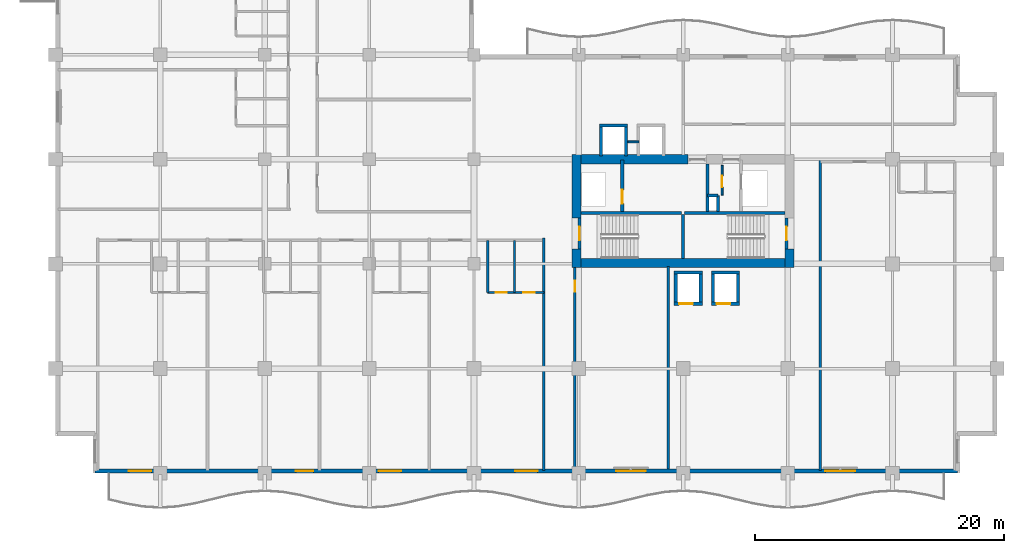
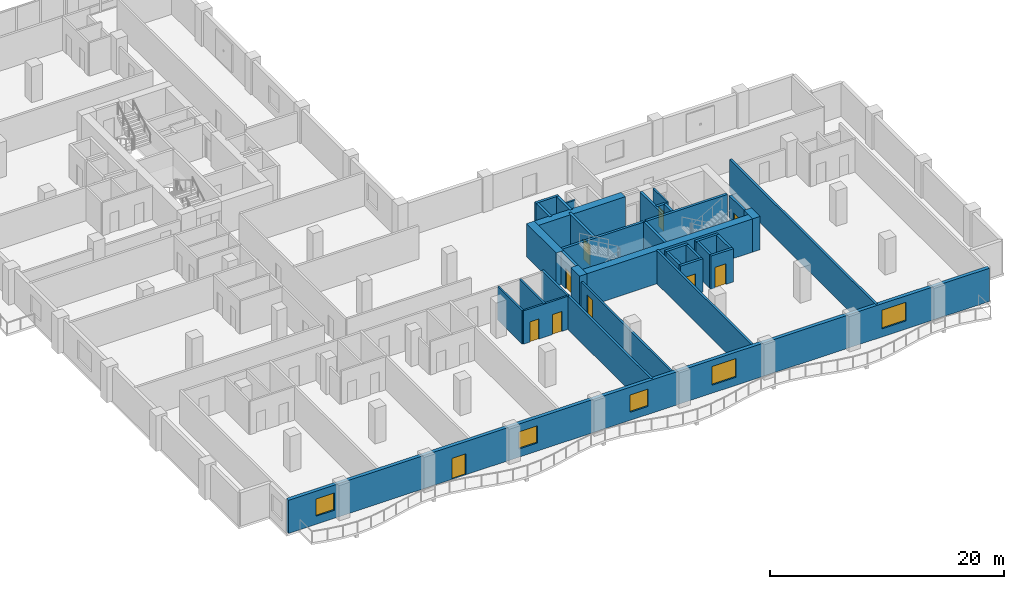
# One storey, part 8 of 20: 35 walls, 10 doors, 5 windows, 15 openings.
"""IFC4 building model written with IfcOpenShell, lengths in metres."""

import ifcopenshell
import ifcopenshell.guid

model = None  # the IFC model being written
_history = None  # IfcOwnerHistory: only IFC2X3 demands one
_inside = {}  # id of a spatial element -> (the spatial element, [elements in it])
_under = {}  # id of a project, library or spatial element -> (it, [spatial elements below it])
_declared = {}  # id of a project -> (the project, [libraries it declares])
_typed = {}  # id of a type object -> (the type object, [elements of that type])
_made_of = {}  # id of a material, layer set ... -> (it, [elements and type objects made of it])


def new_model(schema):
    """Start an empty IFC model of exactly this schema.

    Asked for "IFC4X3", IfcOpenShell would pick the latest addendum, in which some entities
    have other attributes; the version numbers below select the first issue.
    IFC2X3 requires an IfcOwnerHistory on every rooted entity: one is made here for all.
    """
    global model, _history
    if schema == "IFC4X3":
        model = ifcopenshell.file(schema_version=(4, 3, 0, 0))
    else:
        model = ifcopenshell.file(schema=schema)
    _inside.clear()
    _under.clear()
    _declared.clear()
    _typed.clear()
    _made_of.clear()
    _history = None
    if model.schema == "IFC2X3":
        org = make("IfcOrganization", Name="unknown")
        user = make(
            "IfcPersonAndOrganization",
            ThePerson=make("IfcPerson", FamilyName="unknown"),
            TheOrganization=org,
        )
        app = make(
            "IfcApplication",
            ApplicationDeveloper=org,
            Version="unknown",
            ApplicationFullName="unknown",
            ApplicationIdentifier="unknown",
        )
        _history = make(
            "IfcOwnerHistory",
            OwningUser=user,
            OwningApplication=app,
            ChangeAction="ADDED",
            CreationDate=0,
        )
    return model


def make(cls, **values):
    """One entity of the class cls with the attributes given. An attribute that is None is left unset."""
    return model.create_entity(
        cls, **{name: value for name, value in values.items() if value is not None}
    )


def rooted(cls, **values):
    """An entity with a GlobalId (a new one), such as an element, a storey or a relation."""
    return make(cls, GlobalId=ifcopenshell.guid.new(), OwnerHistory=_history, **values)


def si_unit(unit_type, name, prefix=None):
    """IfcSIUnit, for example si_unit("LENGTHUNIT", "METRE", prefix="MILLI")."""
    return make("IfcSIUnit", UnitType=unit_type, Prefix=prefix, Name=name)


def assignment(units):
    """IfcUnitAssignment: the units of a project."""
    return None if units is None else make("IfcUnitAssignment", Units=units)


def point(xyz):
    """IfcCartesianPoint."""
    return None if xyz is None else make("IfcCartesianPoint", Coordinates=xyz)


def direction(xyz):
    """IfcDirection."""
    return None if xyz is None else make("IfcDirection", DirectionRatios=xyz)


def frame(location, z_axis=None, x_axis=None):
    """IfcAxis2Placement3D, a coordinate frame: its origin and axes. An axis left out is left unset."""
    return make(
        "IfcAxis2Placement3D",
        Location=point(location),
        Axis=direction(z_axis),
        RefDirection=direction(x_axis),
    )


def frame_2d(location, x_axis=None):
    """IfcAxis2Placement2D, a coordinate frame in the plane: its origin and x axis."""
    return make(
        "IfcAxis2Placement2D", Location=point(location), RefDirection=direction(x_axis)
    )


def origin():
    """The frame at (0, 0, 0) with its axes left unset."""
    return frame((0.0, 0.0, 0.0))


def place(relative_to, where):
    """IfcLocalPlacement: puts the frame where relative to a parent placement (None: the world)."""
    return make(
        "IfcLocalPlacement", PlacementRelTo=relative_to, RelativePlacement=where
    )


def context(
    kind, dimensions, precision=None, world=None, true_north=None, identifier=None
):
    """IfcGeometricRepresentationContext, for example the 3D "Model" context."""
    return make(
        "IfcGeometricRepresentationContext",
        ContextIdentifier=identifier,
        ContextType=kind,
        CoordinateSpaceDimension=dimensions,
        Precision=precision,
        WorldCoordinateSystem=world,
        TrueNorth=true_north,
    )


def subcontext(parent, identifier, kind, view, scale=None):
    """IfcGeometricRepresentationSubContext, for example "Body" below "Model"."""
    return make(
        "IfcGeometricRepresentationSubContext",
        ContextIdentifier=identifier,
        ContextType=kind,
        ParentContext=parent,
        TargetScale=scale,
        TargetView=view,
    )


def project(units=None, contexts=None):
    """IfcProject with its units and contexts."""
    return rooted(
        "IfcProject",
        Name="project",
        RepresentationContexts=contexts,
        UnitsInContext=assignment(units),
    )


def spatial(cls, under=None, at=None, **own):
    """A site, building, storey or space (cls), placed at a placement, below another one or the project."""
    s = rooted(cls, ObjectPlacement=at, **own)
    if under is not None:
        _under.setdefault(under.id(), (under, []))[1].append(s)
    return s


def profile(cls, at=None, kind="AREA", **sizes):
    """A parametric profile (cls). Its sizes go by their IFC names, for example OverallWidth=200.0."""
    return make(cls, ProfileType=kind, Position=at, **sizes)


def rectangle(**sizes):
    """IfcRectangleProfileDef."""
    return profile("IfcRectangleProfileDef", **sizes)


def extrude(swept, where, along, depth):
    """IfcExtrudedAreaSolid: the profile swept, set in the frame where, extruded along a direction by depth."""
    return make(
        "IfcExtrudedAreaSolid",
        SweptArea=swept,
        Position=where,
        ExtrudedDirection=direction(along),
        Depth=depth,
    )


def shape(context_of_items, identifier, shape_type, items):
    """IfcShapeRepresentation: the items that make up one representation, for example the "Body"."""
    return make(
        "IfcShapeRepresentation",
        ContextOfItems=context_of_items,
        RepresentationIdentifier=identifier,
        RepresentationType=shape_type,
        Items=items,
    )


def material(Name=None, Category=None):
    """IfcMaterial."""
    return make("IfcMaterial", Name=Name, Category=Category)


def layer(
    of_material, thickness, ventilated=None, Name=None, Category=None, Priority=None
):
    """IfcMaterialLayer: one layer of a wall or slab, of a material (None: an air gap)."""
    return make(
        "IfcMaterialLayer",
        Material=of_material,
        LayerThickness=thickness,
        IsVentilated=ventilated,
        Name=Name,
        Category=Category,
        Priority=Priority,
    )


def layer_set(layers, Name=None):
    """IfcMaterialLayerSet."""
    return make("IfcMaterialLayerSet", MaterialLayers=layers, LayerSetName=Name)


def made_of(thing, what):
    """Note that an element or type object is made of a material, layer set ...; save() writes the relation."""
    if what is not None:
        _made_of.setdefault(what.id(), (what, []))[1].append(thing)
    return thing


def type_object(cls, material=None, **own):
    """A type object (cls), such as IfcWallType, which elements share."""
    return made_of(rooted(cls, **own), material)


def element(
    cls,
    number,
    at=None,
    inside=None,
    cuts=None,
    type_object=None,
    material=None,
    context=None,
    identifier="Body",
    shape_type=None,
    held_by="IfcProductDefinitionShape",
    body=None,
    shapes=None,
    **own,
):
    """One element of the class cls, such as IfcWall. Its Tag is "e" and its number.

    at: its placement. inside: the storey or other place that contains it. cuts: it is an
    opening in that element (IfcRelVoidsElement). A single representation is given by context,
    identifier, shape_type and body (its items); several are given by shapes. held_by: the class
    of the entity that holds the representations. save() writes the other relations.
    """
    e = rooted(cls, Tag="e%d" % number, ObjectPlacement=at, **own)
    if body is not None:
        shapes = [shape(context, identifier, shape_type, body)]
    if shapes is not None:
        e.Representation = make(held_by, Representations=shapes)
    if inside is not None:
        _inside.setdefault(inside.id(), (inside, []))[1].append(e)
    if cuts is not None:
        rooted(
            "IfcRelVoidsElement", RelatingBuildingElement=cuts, RelatedOpeningElement=e
        )
    if type_object is not None:
        _typed.setdefault(type_object.id(), (type_object, []))[1].append(e)
    return made_of(e, material)


def fill(opening, filler):
    """IfcRelFillsElement: the door or window that sits in an opening."""
    return rooted(
        "IfcRelFillsElement",
        RelatingOpeningElement=opening,
        RelatedBuildingElement=filler,
    )


def aggregate(whole, parts):
    """IfcRelAggregates: a whole, such as a stair, and the parts it consists of."""
    return rooted("IfcRelAggregates", RelatingObject=whole, RelatedObjects=parts)


def save(model, path):
    """Write the relations noted so far, then the file.

    IfcRelAggregates (storeys below a building ...), IfcRelContainedInSpatialStructure (elements
    in a storey), IfcRelDefinesByType, IfcRelAssociatesMaterial and IfcRelDeclares: one each for
    every whole, place, type object, material and project.
    """
    for whole, parts in _under.values():
        aggregate(whole, parts)
    for where, things in _inside.values():
        rooted(
            "IfcRelContainedInSpatialStructure",
            RelatedElements=things,
            RelatingStructure=where,
        )
    for kind, things in _typed.values():
        rooted("IfcRelDefinesByType", RelatedObjects=things, RelatingType=kind)
    for what, things in _made_of.values():
        rooted("IfcRelAssociatesMaterial", RelatedObjects=things, RelatingMaterial=what)
    for by, libraries in _declared.values():
        rooted("IfcRelDeclares", RelatingContext=by, RelatedDefinitions=libraries)
    model.write(path)


model = new_model("IFC4")

# Units and contexts
model_context = context("Model", 3, precision=1e-05, world=origin(), true_north=direction((0.0, 1.0)))
body_context = subcontext(model_context, "Body", "Model", "MODEL_VIEW")
ifc_project = project(units=[si_unit("LENGTHUNIT", "METRE"), si_unit("AREAUNIT", "SQUARE_METRE"), si_unit("VOLUMEUNIT", "CUBIC_METRE"), si_unit("PLANEANGLEUNIT", "RADIAN"), si_unit("MASSUNIT", "GRAM", prefix="KILO")], contexts=[model_context])

# Site, building, storey
site_placement = place(None, origin())
site = spatial("IfcSite", under=ifc_project, at=site_placement, CompositionType="ELEMENT")
building_placement = place(site_placement, origin())
building = spatial("IfcBuilding", under=site, at=building_placement, Name="Koriwani Terraces Tower", CompositionType="ELEMENT")
storey_placement = place(building_placement, frame((0.0, 0.0, 175.39990234375)))
storey = spatial("IfcBuildingStorey", under=building, at=storey_placement, Name="L42", CompositionType="ELEMENT", Elevation=175.39990234375)

# Walls
ifc_material_1 = material(Name="Concrete C60/75", Category="concrete")
ifc_layer_1 = layer(ifc_material_1, 0.75, Name="Concrete C60/75")
ifc_layer_set_1 = layer_set([ifc_layer_1], Name="Concrete C60/75")
wall_type_1 = type_object("IfcWallType", Name="WALL_CORE_RC_750", PredefinedType="SHEAR", material=ifc_layer_set_1)
wall_1_placement = place(storey_placement, frame((41.824951171875, 16.5, 0.0), z_axis=(0.0, 0.0, 1.0), x_axis=(0.0, 1.0, 0.0)))
element("IfcWall", 1, at=wall_1_placement, inside=storey, type_object=wall_type_1, Name="L42 East Split Core Shear Wall W1", PredefinedType="SHEAR", context=body_context, shape_type="SweptSolid", body=[
    extrude(rectangle(XDim=1.5, YDim=0.75, at=frame_2d((0.75, 0.0))), origin(), (0.0, 0.0, 1.0), 3.47021484375),
])
wall_2_placement = place(storey_placement, frame((41.824951171875, 20.5, 0.0), z_axis=(0.0, 0.0, 1.0), x_axis=(0.0, 1.0, 0.0)))
element("IfcWall", 2, at=wall_2_placement, inside=storey, type_object=wall_type_1, Name="L42 East Split Core Shear Wall W2", PredefinedType="SHEAR", context=body_context, shape_type="SweptSolid", body=[
    extrude(rectangle(XDim=5.074951171875, YDim=0.75, at=frame_2d((2.53759765625, 0.0))), origin(), (0.0, 0.0, 1.0), 3.47021484375),
])
wall_3_placement = place(storey_placement, frame((58.925048828125, 16.5, 0.0), z_axis=(0.0, 0.0, 1.0), x_axis=(0.0, 1.0, 0.0)))
element("IfcWall", 3, at=wall_3_placement, inside=storey, type_object=wall_type_1, Name="L42 East Split Core Shear Wall E1", PredefinedType="SHEAR", context=body_context, shape_type="SweptSolid", body=[
    extrude(rectangle(XDim=1.5, YDim=0.75, at=frame_2d((0.75, 0.0))), origin(), (0.0, 0.0, 1.0), 3.47021484375),
])
wall_4_placement = place(storey_placement, frame((42.199951171875, 16.875, 0.0), z_axis=(0.0, 0.0, 1.0), x_axis=(1.0, 0.0, 0.0)))
element("IfcWall", 4, at=wall_4_placement, inside=storey, type_object=wall_type_1, Name="L42 East Split Core Shear Wall S1", PredefinedType="SHEAR", context=body_context, shape_type="SweptSolid", body=[
    extrude(rectangle(XDim=16.35009765625, YDim=0.75, at=frame_2d((8.175048828125, 0.0))), origin(), (0.0, 0.0, 1.0), 3.47021484375),
])
wall_5_placement = place(storey_placement, frame((42.199951171875, 25.199951171875, 0.0), z_axis=(0.0, 0.0, 1.0), x_axis=(1.0, 0.0, 0.0)))
element("IfcWall", 5, at=wall_5_placement, inside=storey, type_object=wall_type_1, Name="L42 East Split Core Shear Wall N1", PredefinedType="SHEAR", context=body_context, shape_type="SweptSolid", body=[
    extrude(rectangle(XDim=8.60009765625, YDim=0.75, at=frame_2d((4.300048828125, 0.0))), origin(), (0.0, 0.0, 1.0), 3.47021484375),
])

# Wall, opening, door
ifc_material_2 = material(Name="Autoclaved Cellular Concrete Blockwork", Category="masonry")
ifc_layer_2 = layer(ifc_material_2, 0.199951171875, Name="Autoclaved Cellular Concrete Blockwork")
ifc_layer_set_2 = layer_set([ifc_layer_2], Name="Autoclaved Cellular Concrete Blockwork")
wall_type_2 = type_object("IfcWallType", Name="WALL_CORRIDOR_200", PredefinedType="PARTITIONING", material=ifc_layer_set_2)
wall_6_placement = place(storey_placement, frame((41.699951171875, 0.35009765625, 0.0), z_axis=(0.0, 0.0, 1.0), x_axis=(0.0, 1.0, 0.0)))
wall_6 = element("IfcWall", 6, at=wall_6_placement, inside=storey, type_object=wall_type_2, Name="L42 Interior Wall WREC-EW-L42", PredefinedType="PARTITIONING", context=body_context, shape_type="SweptSolid", body=[
    extrude(rectangle(XDim=16.25, YDim=0.199951171875, at=frame_2d((8.125, 0.0))), origin(), (0.0, 0.0, 1.0), 2.820068359375),
])
opening_1_placement = place(wall_6_placement, frame((14.199951171875, 0.0, 0.0)))
opening_1 = element("IfcOpeningElement", 7, at=opening_1_placement, cuts=wall_6, Name="Opening D-06", PredefinedType="OPENING", context=body_context, shape_type="SweptSolid", body=[
    extrude(rectangle(XDim=0.919921875, YDim=2.10009765625, at=frame_2d((0.4599609375, 1.050048828125))), frame((0.0, 0.10986328125, 0.0), z_axis=(0.0, -1.0, 0.0), x_axis=(1.0, 0.0, 0.0)), (0.0, 0.0, 1.0), 0.219970703125),
])
ifc_material_3 = material(Name="Architectural Oak Fire Door", Category="wood")
door_type_1 = type_object("IfcDoorType", Name="DOOR_ROOM_INT_920X2100", OperationType="NOTDEFINED", PredefinedType="DOOR", material=ifc_material_3)
door_1_placement = place(opening_1_placement, origin())
door_1 = element("IfcDoor", 8, at=door_1_placement, inside=storey, type_object=door_type_1, Name="L42 Resident Co-Working Study Door", OperationType="SINGLE_SWING_LEFT", OverallHeight=2.10009765625, OverallWidth=0.919921875, PredefinedType="DOOR", context=body_context, shape_type="SweptSolid", body=[
    extrude(rectangle(XDim=0.919921875, YDim=2.10009765625, at=frame_2d((0.4599609375, 1.050048828125))), frame((0.0, 0.02490234375, 0.0), z_axis=(0.0, -1.0, 0.0), x_axis=(1.0, 0.0, 0.0)), (0.0, 0.0, 1.0), 0.050048828125),
])
fill(opening_1, door_1)

# Walls
ifc_layer_3 = layer(ifc_material_2, 0.219970703125, Name="Autoclaved Cellular Concrete Blockwork")
ifc_layer_set_3 = layer_set([ifc_layer_3], Name="Autoclaved Cellular Concrete Blockwork")
wall_type_3 = type_object("IfcWallType", Name="WALL_DEMISING_220", PredefinedType="PARTITIONING", material=ifc_layer_set_3)
wall_7_placement = place(storey_placement, frame((49.199951171875, 0.35009765625, 0.0), z_axis=(0.0, 0.0, 1.0), x_axis=(0.0, 1.0, 0.0)))
element("IfcWall", 9, at=wall_7_placement, inside=storey, type_object=wall_type_3, Name="L42 Interior Wall WREC-EE-L42", PredefinedType="PARTITIONING", context=body_context, shape_type="SweptSolid", body=[
    extrude(rectangle(XDim=16.25, YDim=0.219970703125, at=frame_2d((8.125, 0.0))), origin(), (0.0, 0.0, 1.0), 3.47021484375),
])
wall_8_placement = place(storey_placement, frame((39.199951171875, 0.199951171875, 0.0), z_axis=(0.0, 0.0, 1.0), x_axis=(0.0, 1.0, 0.0)))
element("IfcWall", 10, at=wall_8_placement, inside=storey, type_object=wall_type_3, Name="L42 Interior Wall WRDEME-L42-SW", PredefinedType="PARTITIONING", context=body_context, shape_type="SweptSolid", body=[
    extrude(rectangle(XDim=18.679931640625, YDim=0.219970703125, at=frame_2d((9.33984375, 0.0))), origin(), (0.0, 0.0, 1.0), 3.47021484375),
])
wall_9_placement = place(storey_placement, frame((61.39990234375, 0.199951171875, 0.0), z_axis=(0.0, 0.0, 1.0), x_axis=(0.0, 1.0, 0.0)))
element("IfcWall", 11, at=wall_9_placement, inside=storey, type_object=wall_type_3, Name="L42 Interior Wall WRDEM-L42-SE-0", PredefinedType="PARTITIONING", context=body_context, shape_type="SweptSolid", body=[
    extrude(rectangle(XDim=24.97998046875, YDim=0.219970703125, at=frame_2d((12.489990234375, 0.0))), origin(), (0.0, 0.0, 1.0), 3.47021484375),
])

# Wall, openings, door, windows
ifc_material_4 = material(Name="Concrete C50/60", Category="concrete")
ifc_layer_4 = layer(ifc_material_4, 0.35009765625, Name="Concrete C50/60")
ifc_layer_set_4 = layer_set([ifc_layer_4], Name="Concrete C50/60")
wall_type_4 = type_object("IfcWallType", Name="WALL_EXT_BRUTALIST_350", PredefinedType="STANDARD", material=ifc_layer_set_4)
wall_10_placement = place(storey_placement, frame((72.425048828125, 0.175048828125, 0.0), z_axis=(0.0, 0.0, 1.0), x_axis=(-1.0, 0.0, 0.0)))
wall_10 = element("IfcWall", 12, at=wall_10_placement, inside=storey, type_object=wall_type_4, Name="L42 Fair-Faced Brutalist Exterior Wall (S)", PredefinedType="STANDARD", context=body_context, shape_type="SweptSolid", body=[
    extrude(rectangle(XDim=69.25, YDim=0.35009765625, at=frame_2d((34.625, 0.0))), origin(), (0.0, 0.0, 1.0), 3.47021484375),
])
opening_2_placement = place(wall_10_placement, frame((51.72509765625, 0.0, 0.0)))
opening_2 = element("IfcOpeningElement", 13, at=opening_2_placement, cuts=wall_10, Name="Opening D-09", PredefinedType="OPENING", context=body_context, shape_type="SweptSolid", body=[
    extrude(rectangle(XDim=1.39990234375, YDim=2.199951171875, at=frame_2d((0.699951171875, 1.10009765625))), frame((0.0, 0.18505859375, 0.0), z_axis=(0.0, -1.0, 0.0), x_axis=(1.0, 0.0, 0.0)), (0.0, 0.0, 1.0), 0.3701171875),
])
opening_3_placement = place(wall_10_placement, frame((33.72509765625, 0.0, 0.85009765625)))
opening_3 = element("IfcOpeningElement", 14, at=opening_3_placement, cuts=wall_10, Name="Opening W-04", PredefinedType="OPENING", context=body_context, shape_type="SweptSolid", body=[
    extrude(rectangle(XDim=1.800048828125, YDim=1.800048828125, at=frame_2d((0.89990234375, 0.89990234375))), frame((0.0, 0.18505859375, 0.0), z_axis=(0.0, -1.0, 0.0), x_axis=(1.0, 0.0, 0.0)), (0.0, 0.0, 1.0), 0.3701171875),
])
opening_4_placement = place(wall_10_placement, frame((25.02490234375, 0.0, 0.85009765625)))
opening_4 = element("IfcOpeningElement", 15, at=opening_4_placement, cuts=wall_10, Name="Opening W-03", PredefinedType="OPENING", context=body_context, shape_type="SweptSolid", body=[
    extrude(rectangle(XDim=2.39990234375, YDim=1.949951171875, at=frame_2d((1.199951171875, 0.97509765625))), frame((0.0, 0.18505859375, 0.0), z_axis=(0.0, -1.0, 0.0), x_axis=(1.0, 0.0, 0.0)), (0.0, 0.0, 1.0), 0.3701171875),
])
opening_5_placement = place(wall_10_placement, frame((8.22509765625, 0.0, 0.85009765625)))
opening_5 = element("IfcOpeningElement", 16, at=opening_5_placement, cuts=wall_10, Name="Opening W-03", PredefinedType="OPENING", context=body_context, shape_type="SweptSolid", body=[
    extrude(rectangle(XDim=2.39990234375, YDim=1.949951171875, at=frame_2d((1.199951171875, 0.97509765625))), frame((0.0, 0.18505859375, 0.0), z_axis=(0.0, -1.0, 0.0), x_axis=(1.0, 0.0, 0.0)), (0.0, 0.0, 1.0), 0.3701171875),
])
opening_6_placement = place(wall_10_placement, frame((64.72509765625, 0.0, 0.85009765625)))
opening_6 = element("IfcOpeningElement", 17, at=opening_6_placement, cuts=wall_10, Name="Opening W-04", PredefinedType="OPENING", context=body_context, shape_type="SweptSolid", body=[
    extrude(rectangle(XDim=1.800048828125, YDim=1.800048828125, at=frame_2d((0.89990234375, 0.89990234375))), frame((0.0, 0.18505859375, 0.0), z_axis=(0.0, -1.0, 0.0), x_axis=(1.0, 0.0, 0.0)), (0.0, 0.0, 1.0), 0.3701171875),
])
opening_7_placement = place(wall_10_placement, frame((44.675048828125, 0.0, 0.85009765625)))
opening_7 = element("IfcOpeningElement", 18, at=opening_7_placement, cuts=wall_10, Name="Opening W-04", PredefinedType="OPENING", context=body_context, shape_type="SweptSolid", body=[
    extrude(rectangle(XDim=1.800048828125, YDim=1.800048828125, at=frame_2d((0.89990234375, 0.89990234375))), frame((0.0, 0.18505859375, 0.0), z_axis=(0.0, -1.0, 0.0), x_axis=(1.0, 0.0, 0.0)), (0.0, 0.0, 1.0), 0.3701171875),
])
ifc_material_5 = material(Name="Anodised Bronze Aluminium", Category="aluminium")
door_type_2 = type_object("IfcDoorType", Name="DOOR_BALCONY_GLAZED_1400X2200", OperationType="NOTDEFINED", PredefinedType="DOOR", material=ifc_material_5)
door_2_placement = place(opening_2_placement, origin())
door_2 = element("IfcDoor", 19, at=door_2_placement, inside=storey, type_object=door_type_2, Name="L42 South Balcony Glazed Door", OperationType="SINGLE_SWING_LEFT", OverallHeight=2.199951171875, OverallWidth=1.39990234375, PredefinedType="DOOR", context=body_context, shape_type="SweptSolid", body=[
    extrude(rectangle(XDim=1.39990234375, YDim=2.199951171875, at=frame_2d((0.699951171875, 1.10009765625))), frame((0.0, 0.02490234375, 0.0), z_axis=(0.0, -1.0, 0.0), x_axis=(1.0, 0.0, 0.0)), (0.0, 0.0, 1.0), 0.050048828125),
])
fill(opening_2, door_2)
ifc_material_6 = material(Name="Tempered Laminated Low-E Glass", Category="glass")
window_type_1 = type_object("IfcWindowType", Name="WIN_RES_BED_1800X1800", PartitioningType="DOUBLE_PANEL_VERTICAL", PredefinedType="WINDOW", material=ifc_material_6)
window_1_placement = place(opening_3_placement, origin())
window_1 = element("IfcWindow", 20, at=window_1_placement, inside=storey, type_object=window_type_1, Name="L42 Exterior Window (S-12)", OverallHeight=1.800048828125, OverallWidth=1.800048828125, PartitioningType="SINGLE_PANEL", PredefinedType="WINDOW", context=body_context, shape_type="SweptSolid", body=[
    extrude(rectangle(XDim=1.800048828125, YDim=1.800048828125, at=frame_2d((0.89990234375, 0.89990234375))), frame((0.0, 0.030029296875, 0.0), z_axis=(0.0, -1.0, 0.0), x_axis=(1.0, 0.0, 0.0)), (0.0, 0.0, 1.0), 0.06005859375),
])
fill(opening_3, window_1)
window_2_placement = place(opening_6_placement, origin())
window_2 = element("IfcWindow", 21, at=window_2_placement, inside=storey, type_object=window_type_1, Name="L42 Exterior Window (S-R33)", OverallHeight=1.800048828125, OverallWidth=1.800048828125, PartitioningType="SINGLE_PANEL", PredefinedType="WINDOW", context=body_context, shape_type="SweptSolid", body=[
    extrude(rectangle(XDim=1.800048828125, YDim=1.800048828125, at=frame_2d((0.89990234375, 0.89990234375))), frame((0.0, 0.030029296875, 0.0), z_axis=(0.0, -1.0, 0.0), x_axis=(1.0, 0.0, 0.0)), (0.0, 0.0, 1.0), 0.06005859375),
])
fill(opening_6, window_2)
window_3_placement = place(opening_7_placement, origin())
window_3 = element("IfcWindow", 22, at=window_3_placement, inside=storey, type_object=window_type_1, Name="L42 Exterior Window (S-R39)", OverallHeight=1.800048828125, OverallWidth=1.800048828125, PartitioningType="SINGLE_PANEL", PredefinedType="WINDOW", context=body_context, shape_type="SweptSolid", body=[
    extrude(rectangle(XDim=1.800048828125, YDim=1.800048828125, at=frame_2d((0.89990234375, 0.89990234375))), frame((0.0, 0.030029296875, 0.0), z_axis=(0.0, -1.0, 0.0), x_axis=(1.0, 0.0, 0.0)), (0.0, 0.0, 1.0), 0.06005859375),
])
fill(opening_7, window_3)
window_type_2 = type_object("IfcWindowType", Name="WIN_RES_LIVING_2400X1950", PartitioningType="DOUBLE_PANEL_VERTICAL", PredefinedType="WINDOW", material=ifc_material_6)
window_4_placement = place(opening_4_placement, origin())
window_4 = element("IfcWindow", 23, at=window_4_placement, inside=storey, type_object=window_type_2, Name="L42 Exterior Window (S-15)", OverallHeight=1.949951171875, OverallWidth=2.39990234375, PartitioningType="SINGLE_PANEL", PredefinedType="WINDOW", context=body_context, shape_type="SweptSolid", body=[
    extrude(rectangle(XDim=2.39990234375, YDim=1.949951171875, at=frame_2d((1.199951171875, 0.97509765625))), frame((0.0, 0.030029296875, 0.0), z_axis=(0.0, -1.0, 0.0), x_axis=(1.0, 0.0, 0.0)), (0.0, 0.0, 1.0), 0.06005859375),
])
fill(opening_4, window_4)
window_5_placement = place(opening_5_placement, origin())
window_5 = element("IfcWindow", 24, at=window_5_placement, inside=storey, type_object=window_type_2, Name="L42 Exterior Window (S-21)", OverallHeight=1.949951171875, OverallWidth=2.39990234375, PartitioningType="SINGLE_PANEL", PredefinedType="WINDOW", context=body_context, shape_type="SweptSolid", body=[
    extrude(rectangle(XDim=2.39990234375, YDim=1.949951171875, at=frame_2d((1.199951171875, 0.97509765625))), frame((0.0, 0.030029296875, 0.0), z_axis=(0.0, -1.0, 0.0), x_axis=(1.0, 0.0, 0.0)), (0.0, 0.0, 1.0), 0.06005859375),
])
fill(opening_5, window_5)

# Wall, openings, doors
ifc_material_7 = material(Name="Fire-Rated Acoustic Gypsum Partition", Category="masonry")
ifc_layer_5 = layer(ifc_material_7, 0.179931640625, Name="Fire-Rated Acoustic Gypsum Partition")
ifc_layer_set_5 = layer_set([ifc_layer_5], Name="Fire-Rated Acoustic Gypsum Partition")
wall_type_5 = type_object("IfcWallType", Name="WALL_PLUMBING_180", PredefinedType="PLUMBINGWALL", material=ifc_layer_set_5)
wall_11_placement = place(storey_placement, frame((34.699951171875, 14.5, 0.0), z_axis=(0.0, 0.0, 1.0), x_axis=(1.0, 0.0, 0.0)))
wall_11 = element("IfcWall", 25, at=wall_11_placement, inside=storey, type_object=wall_type_5, Name="L42 Interior Wall WRSVC-L42-SW-3", PredefinedType="PLUMBINGWALL", context=body_context, shape_type="SweptSolid", body=[
    extrude(rectangle(XDim=4.5, YDim=0.179931640625, at=frame_2d((2.25, 0.0))), origin(), (0.0, 0.0, 1.0), 3.47021484375),
])
opening_8_placement = place(wall_11_placement, frame((0.6298828125, 0.0, 0.0)))
opening_8 = element("IfcOpeningElement", 26, at=opening_8_placement, cuts=wall_11, Name="Opening D-07", PredefinedType="OPENING", context=body_context, shape_type="SweptSolid", body=[
    extrude(rectangle(XDim=0.89990234375, YDim=2.10009765625, at=frame_2d((0.449951171875, 1.050048828125))), frame((0.0, 0.10009765625, 0.0), z_axis=(0.0, -1.0, 0.0), x_axis=(1.0, 0.0, 0.0)), (0.0, 0.0, 1.0), 0.199951171875),
])
opening_9_placement = place(wall_11_placement, frame((2.8701171875, 0.0, 0.0)))
opening_9 = element("IfcOpeningElement", 27, at=opening_9_placement, cuts=wall_11, Name="Opening D-06", PredefinedType="OPENING", context=body_context, shape_type="SweptSolid", body=[
    extrude(rectangle(XDim=0.919921875, YDim=2.10009765625, at=frame_2d((0.4599609375, 1.050048828125))), frame((0.0, 0.10009765625, 0.0), z_axis=(0.0, -1.0, 0.0), x_axis=(1.0, 0.0, 0.0)), (0.0, 0.0, 1.0), 0.199951171875),
])
door_type_3 = type_object("IfcDoorType", Name="DOOR_BATH_INT_900X2100", OperationType="NOTDEFINED", PredefinedType="DOOR", material=ifc_material_3)
door_3_placement = place(opening_8_placement, origin())
door_3 = element("IfcDoor", 28, at=door_3_placement, inside=storey, type_object=door_type_3, Name="Apartment 42SW4 Bathroom Door", OperationType="SINGLE_SWING_RIGHT", OverallHeight=2.10009765625, OverallWidth=0.89990234375, PredefinedType="DOOR", context=body_context, shape_type="SweptSolid", body=[
    extrude(rectangle(XDim=0.89990234375, YDim=2.10009765625, at=frame_2d((0.449951171875, 1.050048828125))), frame((0.0, 0.02490234375, 0.0), z_axis=(0.0, -1.0, 0.0), x_axis=(1.0, 0.0, 0.0)), (0.0, 0.0, 1.0), 0.050048828125),
])
fill(opening_8, door_3)
door_4_placement = place(opening_9_placement, origin())
door_4 = element("IfcDoor", 29, at=door_4_placement, inside=storey, type_object=door_type_1, Name="Apartment 42SW4 Kitchen Door", OperationType="SINGLE_SWING_LEFT", OverallHeight=2.10009765625, OverallWidth=0.919921875, PredefinedType="DOOR", context=body_context, shape_type="SweptSolid", body=[
    extrude(rectangle(XDim=0.919921875, YDim=2.10009765625, at=frame_2d((0.4599609375, 1.050048828125))), frame((0.0, 0.02490234375, 0.0), z_axis=(0.0, -1.0, 0.0), x_axis=(1.0, 0.0, 0.0)), (0.0, 0.0, 1.0), 0.050048828125),
])
fill(opening_9, door_4)

# Walls
for number, where, z_axis, x_axis, name in (
    (30, (34.699951171875, 14.5, 0.0), (0.0, 0.0, 1.0), (0.0, 1.0, 0.0), "L42 Interior Wall WRSVCS-L42-SW-3"),
    (31, (36.860107421875, 14.5, 0.0), (0.0, 0.0, 1.0), (0.0, 1.0, 0.0), "L42 Interior Wall WRSVCM-L42-SW-3"),
):
    element("IfcWall", number, at=place(storey_placement, frame(where, z_axis=z_axis, x_axis=x_axis)), inside=storey, type_object=wall_type_5, Name=name, PredefinedType="PLUMBINGWALL", context=body_context, shape_type="SweptSolid", body=[
        extrude(rectangle(XDim=4.199951171875, YDim=0.179931640625, at=frame_2d((2.10009765625, 0.0))), origin(), (0.0, 0.0, 1.0), 3.47021484375),
    ])
ifc_material_8 = material(Name="Concrete C40/50", Category="concrete")
ifc_layer_6 = layer(ifc_material_8, 0.25, Name="Concrete C40/50")
ifc_layer_set_6 = layer_set([ifc_layer_6], Name="Concrete C40/50")
wall_type_6 = type_object("IfcWallType", Name="WALL_SHAFT_RATED_250", PredefinedType="SOLIDWALL", material=ifc_layer_set_6)
for number, where, z_axis, x_axis, name in (
    (32, (42.199951171875, 20.875, 0.0), (0.0, 0.0, 1.0), (1.0, 0.0, 0.0), "L42 East Split Core Web Wall MID1"),
    (33, (50.5, 20.875, 0.0), (0.0, 0.0, 1.0), (1.0, 0.0, 0.0), "L42 East Split Core Web Wall MID2"),
):
    element("IfcWall", number, at=place(storey_placement, frame(where, z_axis=z_axis, x_axis=x_axis)), inside=storey, type_object=wall_type_6, Name=name, PredefinedType="SOLIDWALL", context=body_context, shape_type="SweptSolid", body=[
        extrude(rectangle(XDim=8.050048828125, YDim=0.25, at=frame_2d((4.02490234375, 0.0))), origin(), (0.0, 0.0, 1.0), 3.47021484375),
    ])
wall_12_placement = place(storey_placement, frame((50.375, 17.25, 0.0), z_axis=(0.0, 0.0, 1.0), x_axis=(0.0, 1.0, 0.0)))
element("IfcWall", 34, at=wall_12_placement, inside=storey, type_object=wall_type_6, Name="L42 East Split Core Stair Dividing Wall", PredefinedType="SOLIDWALL", context=body_context, shape_type="SweptSolid", body=[
    extrude(rectangle(XDim=3.5, YDim=0.25, at=frame_2d((1.75, 0.0))), origin(), (0.0, 0.0, 1.0), 3.47021484375),
])

# Wall, opening, door
wall_13_placement = place(storey_placement, frame((42.074951171875, 18.0, 0.0), z_axis=(0.0, 0.0, 1.0), x_axis=(0.0, 1.0, 0.0)))
wall_13 = element("IfcWall", 35, at=wall_13_placement, inside=storey, type_object=wall_type_6, Name="L42 Interior Wall WIN-CE-L42-STW", PredefinedType="SOLIDWALL", context=body_context, shape_type="SweptSolid", body=[
    extrude(rectangle(XDim=2.5, YDim=0.25, at=frame_2d((1.25, 0.0))), origin(), (0.0, 0.0, 1.0), 3.47021484375),
])
opening_10_placement = place(wall_13_placement, frame((0.699951171875, 0.0, 0.0)))
opening_10 = element("IfcOpeningElement", 36, at=opening_10_placement, cuts=wall_13, Name="Opening D-03", PredefinedType="OPENING", context=body_context, shape_type="SweptSolid", body=[
    extrude(rectangle(XDim=1.10009765625, YDim=2.14990234375, at=frame_2d((0.550048828125, 1.074951171875))), frame((0.0, 0.135009765625, 0.0), z_axis=(0.0, -1.0, 0.0), x_axis=(1.0, 0.0, 0.0)), (0.0, 0.0, 1.0), 0.27001953125),
])
ifc_material_9 = material(Name="Steel ASTM A572 Grade 50", Category="steel")
door_type_4 = type_object("IfcDoorType", Name="DOOR_STAIR_FIRE_1100X2150", OperationType="NOTDEFINED", PredefinedType="DOOR", material=ifc_material_9)
door_5_placement = place(opening_10_placement, origin())
door_5 = element("IfcDoor", 37, at=door_5_placement, inside=storey, type_object=door_type_4, Name="L42 Exit Stair ST-E1 Door", OperationType="SINGLE_SWING_LEFT", OverallHeight=2.14990234375, OverallWidth=1.10009765625, PredefinedType="DOOR", context=body_context, shape_type="SweptSolid", body=[
    extrude(rectangle(XDim=1.10009765625, YDim=2.14990234375, at=frame_2d((0.550048828125, 1.074951171875))), frame((0.0, 0.02490234375, 0.0), z_axis=(0.0, -1.0, 0.0), x_axis=(1.0, 0.0, 0.0)), (0.0, 0.0, 1.0), 0.050048828125),
])
fill(opening_10, door_5)

wall_14_placement = place(storey_placement, frame((58.675048828125, 18.0, 0.0), z_axis=(0.0, 0.0, 1.0), x_axis=(0.0, 1.0, 0.0)))
wall_14 = element("IfcWall", 38, at=wall_14_placement, inside=storey, type_object=wall_type_6, Name="L42 Interior Wall WIN-CE-L42-STE", PredefinedType="SOLIDWALL", context=body_context, shape_type="SweptSolid", body=[
    extrude(rectangle(XDim=2.5, YDim=0.25, at=frame_2d((1.25, 0.0))), origin(), (0.0, 0.0, 1.0), 3.47021484375),
])
opening_11_placement = place(wall_14_placement, frame((0.699951171875, 0.0, 0.0)))
opening_11 = element("IfcOpeningElement", 39, at=opening_11_placement, cuts=wall_14, Name="Opening D-03", PredefinedType="OPENING", context=body_context, shape_type="SweptSolid", body=[
    extrude(rectangle(XDim=1.10009765625, YDim=2.14990234375, at=frame_2d((0.550048828125, 1.074951171875))), frame((0.0, 0.135009765625, 0.0), z_axis=(0.0, -1.0, 0.0), x_axis=(1.0, 0.0, 0.0)), (0.0, 0.0, 1.0), 0.27001953125),
])
door_6_placement = place(opening_11_placement, origin())
door_6 = element("IfcDoor", 40, at=door_6_placement, inside=storey, type_object=door_type_4, Name="L42 Exit Stair ST-E2 Door", OperationType="SINGLE_SWING_RIGHT", OverallHeight=2.14990234375, OverallWidth=1.10009765625, PredefinedType="DOOR", context=body_context, shape_type="SweptSolid", body=[
    extrude(rectangle(XDim=1.10009765625, YDim=2.14990234375, at=frame_2d((0.550048828125, 1.074951171875))), frame((0.0, 0.02490234375, 0.0), z_axis=(0.0, -1.0, 0.0), x_axis=(1.0, 0.0, 0.0)), (0.0, 0.0, 1.0), 0.050048828125),
])
fill(opening_11, door_6)

wall_15_placement = place(storey_placement, frame((45.5, 21.0, 0.0), z_axis=(0.0, 0.0, 1.0), x_axis=(0.0, 1.0, 0.0)))
wall_15 = element("IfcWall", 41, at=wall_15_placement, inside=storey, type_object=wall_type_6, Name="L42 Interior Wall WIN-CE-L42-FE", PredefinedType="SOLIDWALL", context=body_context, shape_type="SweptSolid", body=[
    extrude(rectangle(XDim=4.14990234375, YDim=0.25, at=frame_2d((2.074951171875, 0.0))), origin(), (0.0, 0.0, 1.0), 3.47021484375),
])
opening_12_placement = place(wall_15_placement, frame((0.64990234375, 0.0, 0.0)))
opening_12 = element("IfcOpeningElement", 42, at=opening_12_placement, cuts=wall_15, Name="Opening LD-01", PredefinedType="OPENING", context=body_context, shape_type="SweptSolid", body=[
    extrude(rectangle(XDim=1.10009765625, YDim=2.14990234375, at=frame_2d((0.550048828125, 1.074951171875))), frame((0.0, 0.135009765625, 0.0), z_axis=(0.0, -1.0, 0.0), x_axis=(1.0, 0.0, 0.0)), (0.0, 0.0, 1.0), 0.27001953125),
])
door_type_5 = type_object("IfcDoorType", Name="DOOR_LIFT_LANDING_1100X2200", OperationType="NOTDEFINED", PredefinedType="DOOR", material=ifc_material_9)
door_7_placement = place(opening_12_placement, origin())
door_7 = element("IfcDoor", 43, at=door_7_placement, inside=storey, type_object=door_type_5, Name="L42 Firefighting Lift FE-02 Landing Door", OperationType="SLIDING_TO_LEFT", OverallHeight=2.14990234375, OverallWidth=1.10009765625, PredefinedType="DOOR", context=body_context, shape_type="SweptSolid", body=[
    extrude(rectangle(XDim=1.10009765625, YDim=2.14990234375, at=frame_2d((0.550048828125, 1.074951171875))), frame((0.0, 0.02490234375, 0.0), z_axis=(0.0, -1.0, 0.0), x_axis=(1.0, 0.0, 0.0)), (0.0, 0.0, 1.0), 0.050048828125),
])
fill(opening_12, door_7)

# Walls
wall_16_placement = place(storey_placement, frame((52.340087890625, 21.0, 0.0), z_axis=(0.0, 0.0, 1.0), x_axis=(0.0, 1.0, 0.0)))
element("IfcWall", 44, at=wall_16_placement, inside=storey, type_object=wall_type_6, Name="L42 Interior Wall WIN-CE-L42-FFE", PredefinedType="SOLIDWALL", context=body_context, shape_type="SweptSolid", body=[
    extrude(rectangle(XDim=3.824951171875, YDim=0.25, at=frame_2d((1.91259765625, 0.0))), origin(), (0.0, 0.0, 1.0), 3.47021484375),
])
wall_17_placement = place(storey_placement, frame((53.199951171875, 21.0, 0.0), z_axis=(0.0, 0.0, 1.0), x_axis=(0.0, 1.0, 0.0)))
element("IfcWall", 45, at=wall_17_placement, inside=storey, type_object=wall_type_6, Name="L42 Interior Wall WIN-CE-L42-RS1", PredefinedType="SOLIDWALL", context=body_context, shape_type="SweptSolid", body=[
    extrude(rectangle(XDim=1.300048828125, YDim=0.25, at=frame_2d((0.64990234375, 0.0))), origin(), (0.0, 0.0, 1.0), 3.47021484375),
])
wall_18_placement = place(storey_placement, frame((52.360107421875, 22.300048828125, 0.0), z_axis=(0.0, 0.0, 1.0), x_axis=(1.0, 0.0, 0.0)))
element("IfcWall", 46, at=wall_18_placement, inside=storey, type_object=wall_type_6, Name="L42 Interior Wall WIN-CE-L42-RS2", PredefinedType="SOLIDWALL", context=body_context, shape_type="SweptSolid", body=[
    extrude(rectangle(XDim=0.83984375, YDim=0.25, at=frame_2d((0.419921875, 0.0))), origin(), (0.0, 0.0, 1.0), 3.47021484375),
])

# Wall, opening, door
wall_19_placement = place(storey_placement, frame((49.675048828125, 13.60009765625, 0.0), z_axis=(0.0, 0.0, 1.0), x_axis=(1.0, 0.0, 0.0)))
wall_19 = element("IfcWall", 47, at=wall_19_placement, inside=storey, type_object=wall_type_6, Name="L42 Interior Wall WIN-LF-PE-M3-L42-F", PredefinedType="SOLIDWALL", context=body_context, shape_type="SweptSolid", body=[
    extrude(rectangle(XDim=2.25, YDim=0.25, at=frame_2d((1.125, 0.0))), origin(), (0.0, 0.0, 1.0), 3.47021484375),
])
opening_13_placement = place(wall_19_placement, frame((0.39990234375, 0.0, 0.0)))
opening_13 = element("IfcOpeningElement", 48, at=opening_13_placement, cuts=wall_19, Name="Opening LD-01", PredefinedType="OPENING", context=body_context, shape_type="SweptSolid", body=[
    extrude(rectangle(XDim=1.10009765625, YDim=2.14990234375, at=frame_2d((0.550048828125, 1.074951171875))), frame((0.0, 0.135009765625, 0.0), z_axis=(0.0, -1.0, 0.0), x_axis=(1.0, 0.0, 0.0)), (0.0, 0.0, 1.0), 0.27001953125),
])
door_8_placement = place(opening_13_placement, origin())
door_8 = element("IfcDoor", 49, at=door_8_placement, inside=storey, type_object=door_type_5, Name="L42 Passenger Lift PE-M3 Landing Door", OperationType="SLIDING_TO_LEFT", OverallHeight=2.14990234375, OverallWidth=1.10009765625, PredefinedType="DOOR", context=body_context, shape_type="SweptSolid", body=[
    extrude(rectangle(XDim=1.10009765625, YDim=2.14990234375, at=frame_2d((0.550048828125, 1.074951171875))), frame((0.0, 0.02490234375, 0.0), z_axis=(0.0, -1.0, 0.0), x_axis=(1.0, 0.0, 0.0)), (0.0, 0.0, 1.0), 0.050048828125),
])
fill(opening_13, door_8)

# Walls
for number, where, z_axis, x_axis, name in (
    (50, (49.675048828125, 16.10009765625, 0.0), (0.0, 0.0, 1.0), (1.0, 0.0, 0.0), "L42 Interior Wall WIN-LF-PE-M3-L42-B"),
    (51, (49.800048828125, 13.72509765625, 0.0), (0.0, 0.0, 1.0), (0.0, 1.0, 0.0), "L42 Interior Wall WIN-LF-PE-M3-L42-W"),
    (52, (51.800048828125, 13.72509765625, 0.0), (0.0, 0.0, 1.0), (0.0, 1.0, 0.0), "L42 Interior Wall WIN-LF-PE-M3-L42-E"),
):
    element("IfcWall", number, at=place(storey_placement, frame(where, z_axis=z_axis, x_axis=x_axis)), inside=storey, type_object=wall_type_6, Name=name, PredefinedType="SOLIDWALL", context=body_context, shape_type="SweptSolid", body=[
        extrude(rectangle(XDim=2.25, YDim=0.25, at=frame_2d((1.125, 0.0))), origin(), (0.0, 0.0, 1.0), 3.47021484375),
    ])

# Wall, opening, door
wall_20_placement = place(storey_placement, frame((52.675048828125, 13.60009765625, 0.0), z_axis=(0.0, 0.0, 1.0), x_axis=(1.0, 0.0, 0.0)))
wall_20 = element("IfcWall", 53, at=wall_20_placement, inside=storey, type_object=wall_type_6, Name="L42 Interior Wall WIN-LF-PE-M4-L42-F", PredefinedType="SOLIDWALL", context=body_context, shape_type="SweptSolid", body=[
    extrude(rectangle(XDim=2.25, YDim=0.25, at=frame_2d((1.125, 0.0))), origin(), (0.0, 0.0, 1.0), 3.47021484375),
])
opening_14_placement = place(wall_20_placement, frame((0.39990234375, 0.0, 0.0)))
opening_14 = element("IfcOpeningElement", 54, at=opening_14_placement, cuts=wall_20, Name="Opening LD-01", PredefinedType="OPENING", context=body_context, shape_type="SweptSolid", body=[
    extrude(rectangle(XDim=1.10009765625, YDim=2.14990234375, at=frame_2d((0.550048828125, 1.074951171875))), frame((0.0, 0.135009765625, 0.0), z_axis=(0.0, -1.0, 0.0), x_axis=(1.0, 0.0, 0.0)), (0.0, 0.0, 1.0), 0.27001953125),
])
door_9_placement = place(opening_14_placement, origin())
door_9 = element("IfcDoor", 55, at=door_9_placement, inside=storey, type_object=door_type_5, Name="L42 Passenger Lift PE-M4 Landing Door", OperationType="SLIDING_TO_LEFT", OverallHeight=2.14990234375, OverallWidth=1.10009765625, PredefinedType="DOOR", context=body_context, shape_type="SweptSolid", body=[
    extrude(rectangle(XDim=1.10009765625, YDim=2.14990234375, at=frame_2d((0.550048828125, 1.074951171875))), frame((0.0, 0.02490234375, 0.0), z_axis=(0.0, -1.0, 0.0), x_axis=(1.0, 0.0, 0.0)), (0.0, 0.0, 1.0), 0.050048828125),
])
fill(opening_14, door_9)

# Walls
for number, where, z_axis, x_axis, name in (
    (56, (52.675048828125, 16.10009765625, 0.0), (0.0, 0.0, 1.0), (1.0, 0.0, 0.0), "L42 Interior Wall WIN-LF-PE-M4-L42-B"),
    (57, (52.800048828125, 13.72509765625, 0.0), (0.0, 0.0, 1.0), (0.0, 1.0, 0.0), "L42 Interior Wall WIN-LF-PE-M4-L42-W"),
    (58, (54.800048828125, 13.72509765625, 0.0), (0.0, 0.0, 1.0), (0.0, 1.0, 0.0), "L42 Interior Wall WIN-LF-PE-M4-L42-E"),
    (59, (43.675048828125, 27.89990234375, 0.0), (0.0, 0.0, 1.0), (1.0, 0.0, 0.0), "L42 Interior Wall WIN-LF-PE-H3-L42-F"),
):
    element("IfcWall", number, at=place(storey_placement, frame(where, z_axis=z_axis, x_axis=x_axis)), inside=storey, type_object=wall_type_6, Name=name, PredefinedType="SOLIDWALL", context=body_context, shape_type="SweptSolid", body=[
        extrude(rectangle(XDim=2.25, YDim=0.25, at=frame_2d((1.125, 0.0))), origin(), (0.0, 0.0, 1.0), 3.47021484375),
    ])
for number, where, z_axis, x_axis, name in (
    (60, (43.800048828125, 25.449951171875, 0.0), (0.0, 0.0, 1.0), (0.0, 1.0, 0.0), "L42 Interior Wall WIN-LF-PE-H3-L42-W"),
    (61, (45.800048828125, 25.449951171875, 0.0), (0.0, 0.0, 1.0), (0.0, 1.0, 0.0), "L42 Interior Wall WIN-LF-PE-H3-L42-E"),
):
    element("IfcWall", number, at=place(storey_placement, frame(where, z_axis=z_axis, x_axis=x_axis)), inside=storey, type_object=wall_type_6, Name=name, PredefinedType="SOLIDWALL", context=body_context, shape_type="SweptSolid", body=[
        extrude(rectangle(XDim=2.324951171875, YDim=0.25, at=frame_2d((1.16259765625, 0.0))), origin(), (0.0, 0.0, 1.0), 3.47021484375),
    ])

# Wall, opening, door
ifc_layer_7 = layer(ifc_material_7, 0.159912109375, Name="Fire-Rated Acoustic Gypsum Partition")
ifc_layer_set_7 = layer_set([ifc_layer_7], Name="Fire-Rated Acoustic Gypsum Partition")
wall_type_7 = type_object("IfcWallType", Name="WALL_SUITE_160", PredefinedType="PARTITIONING", material=ifc_layer_set_7)
wall_21_placement = place(storey_placement, frame((53.52001953125, 22.320068359375, 0.0), z_axis=(0.0, 0.0, 1.0), x_axis=(0.0, 1.0, 0.0)))
wall_21 = element("IfcWall", 62, at=wall_21_placement, inside=storey, type_object=wall_type_7, Name="L42 Interior Wall WIN-CE-L42-SV0", PredefinedType="PARTITIONING", context=body_context, shape_type="SweptSolid", body=[
    extrude(rectangle(XDim=2.39990234375, YDim=0.159912109375, at=frame_2d((1.199951171875, 0.0))), origin(), (0.0, 0.0, 1.0), 3.47021484375),
])
opening_15_placement = place(wall_21_placement, frame((0.64990234375, 0.0, 0.0)))
opening_15 = element("IfcOpeningElement", 63, at=opening_15_placement, cuts=wall_21, Name="Opening D-07", PredefinedType="OPENING", context=body_context, shape_type="SweptSolid", body=[
    extrude(rectangle(XDim=0.89990234375, YDim=2.10009765625, at=frame_2d((0.449951171875, 1.050048828125))), frame((0.0, 0.08984375, 0.0), z_axis=(0.0, -1.0, 0.0), x_axis=(1.0, 0.0, 0.0)), (0.0, 0.0, 1.0), 0.179931640625),
])
door_10_placement = place(opening_15_placement, origin())
door_10 = element("IfcDoor", 64, at=door_10_placement, inside=storey, type_object=door_type_3, Name="L42 East Electrical Switch Room Door", OperationType="SINGLE_SWING_LEFT", OverallHeight=2.10009765625, OverallWidth=0.89990234375, PredefinedType="DOOR", context=body_context, shape_type="SweptSolid", body=[
    extrude(rectangle(XDim=0.89990234375, YDim=2.10009765625, at=frame_2d((0.449951171875, 1.050048828125))), frame((0.0, 0.02490234375, 0.0), z_axis=(0.0, -1.0, 0.0), x_axis=(1.0, 0.0, 0.0)), (0.0, 0.0, 1.0), 0.050048828125),
])
fill(opening_15, door_10)

# Wall
wall_22_placement = place(storey_placement, frame((45.9599609375, 26.60009765625, 0.0), z_axis=(0.0, 0.0, 1.0), x_axis=(1.0, 0.0, 0.0)))
element("IfcWall", 65, at=wall_22_placement, inside=storey, type_object=wall_type_7, Name="L42 Interior Wall WIN-LF-PEH34-MID-L42", PredefinedType="PARTITIONING", context=body_context, shape_type="SweptSolid", body=[
    extrude(rectangle(XDim=0.880126953125, YDim=0.159912109375, at=frame_2d((0.43994140625, 0.0))), origin(), (0.0, 0.0, 1.0), 3.47021484375),
])

save(model, "model.ifc")
